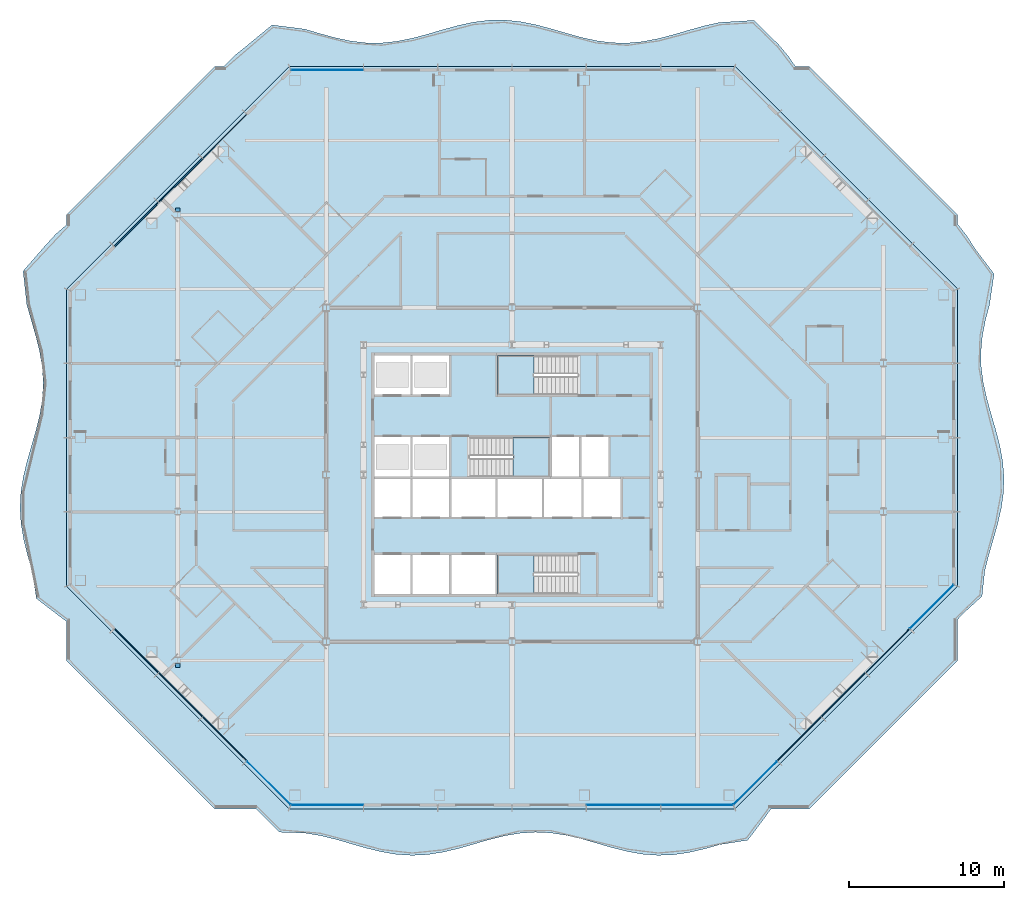
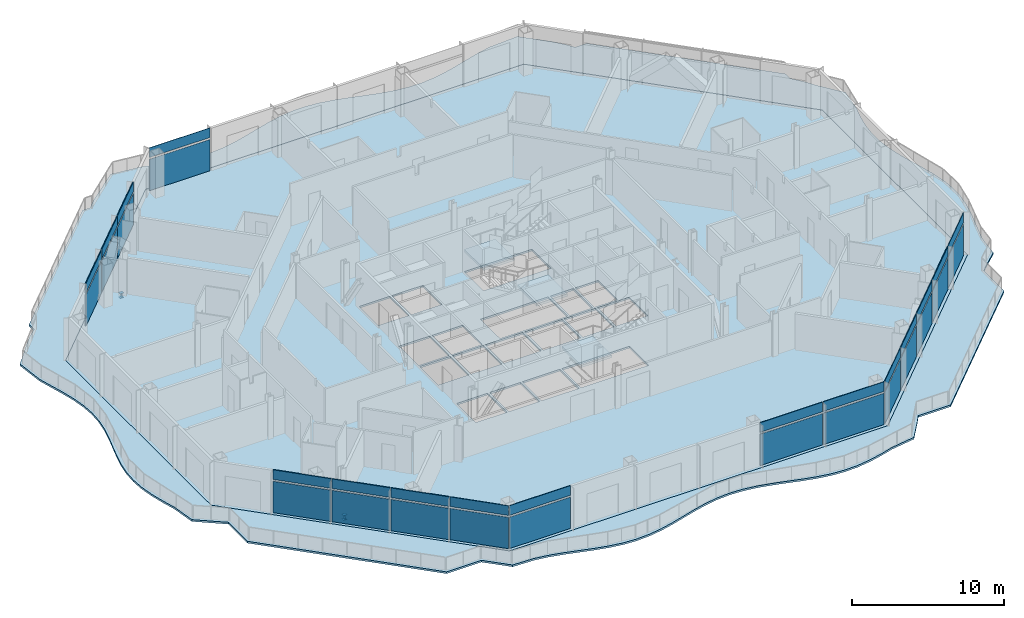
# One storey, part 7 of 24: 32 plates, 5 slabs, 2 beams, 8 elements without a shape of their own.
"""IFC4 building model written with IfcOpenShell, lengths in metres."""

from ifc_helpers import new_model, si_unit, direction, frame, origin, origin_2d, place, context, subcontext, project, spatial, polyline, rectangle, i_section, outline, extrude, material, layer, layer_set, material_profile, profile_set, type_object, element, aggregate, save


model = new_model("IFC4")

# Units and contexts
model_context = context("Model", 3, precision=1e-05, world=origin(), true_north=direction((0.0, 1.0)))
body_context = subcontext(model_context, "Body", "Model", "MODEL_VIEW")
ifc_project = project(units=[si_unit("LENGTHUNIT", "METRE"), si_unit("AREAUNIT", "SQUARE_METRE"), si_unit("VOLUMEUNIT", "CUBIC_METRE"), si_unit("PLANEANGLEUNIT", "RADIAN"), si_unit("MASSUNIT", "GRAM", prefix="KILO")], contexts=[model_context])

# Site, building, storey
site_placement = place(None, origin())
site = spatial("IfcSite", under=ifc_project, at=site_placement, CompositionType="ELEMENT")
building_placement = place(site_placement, origin())
building = spatial("IfcBuilding", under=site, at=building_placement, Name="Cairn Pilgrim Tower", CompositionType="ELEMENT")
storey_placement = place(building_placement, frame((0.0, 0.0, 125.39990234375)))
storey = spatial("IfcBuildingStorey", under=building, at=storey_placement, Name="L30", CompositionType="ELEMENT", Elevation=125.39990234375)

# Beams
ifc_material_1 = material(Name="Structural steel S355J2", Category="steel")
ifc_material_profile = material_profile(ifc_material_1, i_section(OverallWidth=0.300048828125, OverallDepth=0.39990234375, WebThickness=0.013427734375, FlangeThickness=0.02392578125, FilletRadius=0.027099609375, at=origin_2d()), Name="HEB 400")
ifc_profile_set = profile_set([ifc_material_profile], Name="Structural steel S355J2")
beam_type = type_object("IfcBeamType", Name="HEB 400 GIRDER", PredefinedType="BEAM", material=ifc_profile_set)
beam_1_placement = place(storey_placement, frame((-14.39990234375, -10.050048828125, -0.349853515625), z_axis=(0.0, 1.0, 0.0), x_axis=(-1.0, 0.0, 0.0)))
element("IfcBeam", 1, at=beam_1_placement, inside=storey, type_object=beam_type, Name="PG1-E1", PredefinedType="BEAM", context=body_context, shape_type="SweptSolid", body=[
    extrude(i_section(OverallWidth=0.300048828125, OverallDepth=0.39990234375, WebThickness=0.013427734375, FlangeThickness=0.02392578125, FilletRadius=0.027099609375, at=origin_2d()), origin(), (0.0, 0.0, 1.0), 0.25048828125),
])
beam_2_placement = place(storey_placement, frame((-14.39990234375, 19.3994140625, -0.349853515625), z_axis=(0.0, 1.0, 0.0), x_axis=(-1.0, 0.0, 0.0)))
element("IfcBeam", 2, at=beam_2_placement, inside=storey, type_object=beam_type, Name="PG1-E2", PredefinedType="BEAM", context=body_context, shape_type="SweptSolid", body=[
    extrude(i_section(OverallWidth=0.300048828125, OverallDepth=0.39990234375, WebThickness=0.013427734375, FlangeThickness=0.02392578125, FilletRadius=0.027099609375, at=origin_2d()), origin(), (0.0, 0.0, 1.0), 0.250732421875),
])

# Slabs
ifc_material_2 = material(Name="Concrete C35/45", Category="concrete")
ifc_layer_1 = layer(ifc_material_2, 0.14990234375)
ifc_layer_set_1 = layer_set([ifc_layer_1], Name="BALCONY SLAB 150 CONCRETE C35/45")
slab_type_1 = type_object("IfcSlabType", Name="BALCONY SLAB 150 CONCRETE C35/45", PredefinedType="FLOOR", material=ifc_layer_set_1)
slab_1_placement = place(storey_placement, frame((0.0, 0.0, -0.14990234375)))
element("IfcSlab", 3, at=slab_1_placement, inside=storey, type_object=slab_type_1, Name="Balcony slab BS-1", PredefinedType="FLOOR", context=body_context, shape_type="SweptSolid", body=[
    extrude(outline(polyline([(22.43603515625, -21.21826171875), (23.563720703125, -19.7236328125), (23.9287109375, -19.199951171875), (26.39990234375, -19.199951171875), (36.0, -9.60009765625), (36.0, -6.95263671875), (36.341552734375, -6.58154296875), (37.5771484375, -5.453369140625), (37.75732421875, -3.78955078125), (38.01416015625, -2.779052734375), (38.307861328125, -1.768310546875), (38.59228515625, -0.7578125), (38.823486328125, 0.252685546875), (38.9658203125, 1.26318359375), (38.996826171875, 2.273681640625), (38.91162109375, 3.2841796875), (38.7236328125, 4.294677734375), (38.462158203125, 5.30517578125), (38.16748046875, 6.315673828125), (37.8857421875, 7.326416015625), (37.66064453125, 8.3369140625), (37.527099609375, 9.347412109375), (37.506103515625, 10.35791015625), (37.600341796875, 11.368408203125), (37.7958984375, 12.37890625), (38.061767578125, 13.389404296875), (38.35693359375, 15.376220703125), (37.14501953125, 16.985107421875), (36.580078125, 17.860107421875), (36.0, 18.6005859375), (36.0, 19.199951171875), (26.39990234375, 28.800048828125), (25.509033203125, 28.800048828125), (25.093017578125, 29.4130859375), (24.43798828125, 30.197998046875), (22.830078125, 31.76953125), (20.60693359375, 31.634765625), (19.61376953125, 31.412353515625), (18.62060546875, 31.135498046875), (17.627685546875, 30.845947265625), (16.634521484375, 30.5869140625), (15.641357421875, 30.3974609375), (14.648193359375, 30.305908203125), (13.6552734375, 30.326171875), (12.662109375, 30.455078125), (11.6689453125, 30.67333984375), (10.67578125, 30.9482421875), (9.682861328125, 31.23828125), (8.689697265625, 31.500244140625), (7.696533203125, 31.694580078125), (6.703369140625, 31.7919921875), (5.71044921875, 31.77783203125), (4.71728515625, 31.654541015625), (3.72412109375, 31.440673828125), (2.73095703125, 31.167724609375), (1.738037109375, 30.87744140625), (0.744873046875, 30.61279296875), (-0.248291015625, 30.4140625), (-1.241455078125, 30.310546875), (-2.234375, 30.318359375), (-3.2275390625, 30.435791015625), (-4.220703125, 30.645751953125), (-5.2138671875, 30.916259765625), (-6.206787109375, 31.206787109375), (-8.3076171875, 31.473876953125), (-9.957275390625, 30.117431640625), (-10.753662109375, 29.4736328125), (-11.415771484375, 28.800048828125), (-12.0, 28.800048828125), (-21.60009765625, 19.199951171875), (-21.60009765625, 18.547119140625), (-22.280517578125, 17.96044921875), (-22.97021484375, 17.210205078125), (-24.40185546875, 15.560546875), (-24.162841796875, 13.389404296875), (-23.875, 12.37890625), (-23.583251953125, 11.368408203125), (-23.333251953125, 10.35791015625), (-23.163330078125, 9.347412109375), (-23.10009765625, 8.3369140625), (-23.153564453125, 7.326416015625), (-23.315185546875, 6.315673828125), (-23.559814453125, 5.30517578125), (-23.849853515625, 4.294677734375), (-24.1396484375, 3.2841796875), (-24.384521484375, 2.273681640625), (-24.54638671875, 1.26318359375), (-24.599853515625, 0.252685546875), (-24.536865234375, -0.7578125), (-24.3671875, -1.768310546875), (-24.116943359375, -2.779052734375), (-23.825439453125, -3.78955078125), (-23.53759765625, -5.6025390625), (-22.079833984375, -6.7197265625), (-21.60009765625, -7.073974609375), (-21.60009765625, -9.60009765625), (-12.0, -19.199951171875), (-9.3427734375, -19.199951171875), (-8.988525390625, -19.548583984375), (-7.8212890625, -20.699951171875), (-6.206787109375, -20.75634765625), (-5.2138671875, -20.916748046875), (-4.220703125, -21.157470703125), (-3.2275390625, -21.44189453125), (-2.234375, -21.7275390625), (-1.241455078125, -21.9716796875), (-0.248291015625, -22.137451171875), (0.744873046875, -22.19970703125), (1.738037109375, -22.149658203125), (2.73095703125, -21.994384765625), (3.72412109375, -21.757568359375), (4.71728515625, -21.474365234375), (5.71044921875, -21.1875), (6.703369140625, -20.940185546875), (7.696533203125, -20.769287109375), (8.689697265625, -20.70068359375), (9.682861328125, -20.74462890625), (10.67578125, -20.89453125), (11.6689453125, -21.127685546875), (12.662109375, -21.409423828125), (13.6552734375, -21.697265625), (14.648193359375, -21.94775390625), (15.641357421875, -22.123779296875), (16.634521484375, -22.198486328125), (17.627685546875, -22.16064453125), (18.62060546875, -22.016357421875), (19.61376953125, -21.786865234375), (20.60693359375, -21.5068359375), (22.43603515625, -21.21826171875)]), holes=[polyline([(21.60009765625, -19.199951171875), (-7.199951171875, -19.199951171875), (-21.60009765625, -4.800048828125), (-21.60009765625, 14.39990234375), (-7.199951171875, 28.800048828125), (21.60009765625, 28.800048828125), (36.0, 14.39990234375), (36.0, -4.800048828125), (21.60009765625, -19.199951171875)])]), origin(), (0.0, 0.0, 1.0), 0.14990234375),
])
ifc_layer_2 = layer(ifc_material_2, 0.14990234375)
ifc_layer_set_2 = layer_set([ifc_layer_2], Name="COMPOSITE FLOOR SLAB 150")
slab_type_2 = type_object("IfcSlabType", Name="COMPOSITE FLOOR SLAB 150", PredefinedType="FLOOR", material=ifc_layer_set_2)
slab_2_placement = place(storey_placement, frame((0.0, 0.0, -0.14990234375)))
element("IfcSlab", 4, at=slab_2_placement, inside=storey, type_object=slab_type_2, Name="FLOOR SLAB L30", PredefinedType="FLOOR", context=body_context, shape_type="SweptSolid", body=[
    extrude(outline(polyline([(-7.199951171875, -19.199951171875), (21.60009765625, -19.199951171875), (36.0, -4.800048828125), (36.0, 14.39990234375), (21.60009765625, 28.800048828125), (-7.199951171875, 28.800048828125), (-21.60009765625, 14.39990234375), (-21.60009765625, -4.800048828125), (-7.199951171875, -19.199951171875)]), holes=[polyline([(-1.72509765625, -5.300048828125), (0.625, -5.300048828125), (0.625, -2.77490234375), (-1.72509765625, -2.77490234375), (-1.72509765625, -5.300048828125)]), polyline([(0.77490234375, -5.300048828125), (3.125, -5.300048828125), (3.125, -2.77490234375), (0.77490234375, -2.77490234375), (0.77490234375, -5.300048828125)]), polyline([(-1.72509765625, -0.324951171875), (0.625, -0.324951171875), (0.625, 2.125), (-1.72509765625, 2.125), (-1.72509765625, -0.324951171875)]), polyline([(0.77490234375, -0.324951171875), (3.125, -0.324951171875), (3.125, 2.125), (0.77490234375, 2.125), (0.77490234375, -0.324951171875)]), polyline([(3.27490234375, -5.300048828125), (6.125, -5.300048828125), (6.125, -2.77490234375), (3.27490234375, -2.77490234375), (3.27490234375, -5.300048828125)]), polyline([(3.27490234375, -0.324951171875), (6.125, -0.324951171875), (6.125, 2.125), (3.27490234375, 2.125), (3.27490234375, -0.324951171875)]), polyline([(6.27490234375, -0.324951171875), (9.125, -0.324951171875), (9.125, 2.125), (6.27490234375, 2.125), (6.27490234375, -0.324951171875)]), polyline([(9.27490234375, -0.324951171875), (11.675048828125, -0.324951171875), (11.675048828125, 2.125), (9.27490234375, 2.125), (9.27490234375, -0.324951171875)]), polyline([(11.824951171875, -0.324951171875), (14.22509765625, -0.324951171875), (14.22509765625, 2.125), (11.824951171875, 2.125), (11.824951171875, -0.324951171875)]), polyline([(-1.72509765625, 2.27490234375), (0.625, 2.27490234375), (0.625, 4.824951171875), (-1.72509765625, 4.824951171875), (-1.72509765625, 2.27490234375)]), polyline([(0.77490234375, 2.27490234375), (3.125, 2.27490234375), (3.125, 4.824951171875), (0.77490234375, 4.824951171875), (0.77490234375, 2.27490234375)]), polyline([(-1.72509765625, 7.574951171875), (0.625, 7.574951171875), (0.625, 10.10009765625), (-1.72509765625, 10.10009765625), (-1.72509765625, 7.574951171875)]), polyline([(0.77490234375, 7.574951171875), (3.125, 7.574951171875), (3.125, 10.10009765625), (0.77490234375, 10.10009765625), (0.77490234375, 7.574951171875)]), polyline([(9.77490234375, 2.27490234375), (11.52490234375, 2.27490234375), (11.52490234375, 4.824951171875), (9.77490234375, 4.824951171875), (9.77490234375, 2.27490234375)]), polyline([(11.675048828125, 2.27490234375), (13.425048828125, 2.27490234375), (13.425048828125, 4.824951171875), (11.675048828125, 4.824951171875), (11.675048828125, 2.27490234375)]), polyline([(11.424560546875, -2.77490234375), (6.27490234375, -2.77490234375), (6.27490234375, -5.300048828125), (11.424560546875, -5.300048828125), (11.424560546875, -2.77490234375)]), polyline([(4.4755859375, 2.27490234375), (9.625, 2.27490234375), (9.625, 4.824951171875), (4.4755859375, 4.824951171875), (4.4755859375, 2.27490234375)]), polyline([(11.424560546875, 10.10009765625), (6.27490234375, 10.10009765625), (6.27490234375, 7.574951171875), (11.424560546875, 7.574951171875), (11.424560546875, 10.10009765625)])]), origin(), (0.0, 0.0, 1.0), 0.14990234375),
])

# Curtain wall, plates
ifc_material_3 = material(Name="Aluminium alloy 6063-T6 bronze anodised with Bronze tinted laminated low-E glass 8+16+8.8", Category="aluminium")
curtain_wall_type = type_object("IfcCurtainWallType", Name="FULL HEIGHT CURTAIN WALL", PredefinedType="NOTDEFINED", material=ifc_material_3)
curtain_wall_1_placement = place(storey_placement, origin())
curtain_wall_1 = element("IfcCurtainWall", 5, at=curtain_wall_1_placement, inside=storey, type_object=curtain_wall_type, Name="Full Height Curtain Wall SE", PredefinedType="NOTDEFINED")
ifc_material_4 = material(Name="Bronze anodised aluminium spandrel panel with mineral wool insulation", Category="aluminium")
ifc_layer_3 = layer(ifc_material_4, 0.06005859375)
ifc_layer_set_3 = layer_set([ifc_layer_3], Name="SPANDREL PANEL 3972x2525")
plate_type_1 = type_object("IfcPlateType", Name="SPANDREL PANEL 3972x2525", PredefinedType="CURTAIN_PANEL", material=ifc_layer_set_3)
plate_1_placement = place(storey_placement, frame((25.7724609375, -14.673828125, 0.000244140625), z_axis=(0.0, 0.0, 1.0), x_axis=(0.707106781187, 0.707106781187, 0.0)))
plate_1 = element("IfcPlate", 6, at=plate_1_placement, type_object=plate_type_1, Name="Spandrel Panel SE2-1", PredefinedType="CURTAIN_PANEL", context=body_context, shape_type="SweptSolid", body=[
    extrude(rectangle(XDim=3.971435546875, YDim=0.06005859375, at=origin_2d()), origin(), (0.0, 0.0, 1.0), 2.52490234375),
])
plate_2_placement = place(storey_placement, frame((28.623291015625, -11.8232421875, 0.000244140625), z_axis=(0.0, 0.0, 1.0), x_axis=(0.707106781187, 0.707106781187, 0.0)))
plate_2 = element("IfcPlate", 7, at=plate_2_placement, type_object=plate_type_1, Name="Spandrel Panel SE3-1", PredefinedType="CURTAIN_PANEL", context=body_context, shape_type="SweptSolid", body=[
    extrude(rectangle(XDim=3.971435546875, YDim=0.06005859375, at=origin_2d()), origin(), (0.0, 0.0, 1.0), 2.52490234375),
])
plate_3_placement = place(storey_placement, frame((31.473876953125, -8.972412109375, 0.000244140625), z_axis=(0.0, 0.0, 1.0), x_axis=(0.707106781187, 0.707106781187, 0.0)))
plate_3 = element("IfcPlate", 8, at=plate_3_placement, type_object=plate_type_1, Name="Spandrel Panel SE4-1", PredefinedType="CURTAIN_PANEL", context=body_context, shape_type="SweptSolid", body=[
    extrude(rectangle(XDim=3.971435546875, YDim=0.06005859375, at=origin_2d()), origin(), (0.0, 0.0, 1.0), 2.52490234375),
])

curtain_wall_2_placement = place(storey_placement, origin())
curtain_wall_2 = element("IfcCurtainWall", 9, at=curtain_wall_2_placement, inside=storey, type_object=curtain_wall_type, Name="Full Height Curtain Wall NW", PredefinedType="NOTDEFINED")
plate_4_placement = place(storey_placement, frame((-11.37255859375, 24.27392578125, 0.000244140625), z_axis=(0.0, 0.0, 1.0), x_axis=(-0.707106781187, -0.707106781187, 0.0)))
plate_4 = element("IfcPlate", 10, at=plate_4_placement, type_object=plate_type_1, Name="Spandrel Panel NW2-1", PredefinedType="CURTAIN_PANEL", context=body_context, shape_type="SweptSolid", body=[
    extrude(rectangle(XDim=3.971435546875, YDim=0.06005859375, at=origin_2d()), origin(), (0.0, 0.0, 1.0), 2.52490234375),
])
plate_5_placement = place(storey_placement, frame((-14.22314453125, 21.42333984375, 0.000244140625), z_axis=(0.0, 0.0, 1.0), x_axis=(-0.707106781187, -0.707106781187, 0.0)))
plate_5 = element("IfcPlate", 11, at=plate_5_placement, type_object=plate_type_1, Name="Spandrel Panel NW3-1", PredefinedType="CURTAIN_PANEL", context=body_context, shape_type="SweptSolid", body=[
    extrude(rectangle(XDim=3.971435546875, YDim=0.06005859375, at=origin_2d()), origin(), (0.0, 0.0, 1.0), 2.52490234375),
])
plate_6_placement = place(storey_placement, frame((-17.073974609375, 18.572509765625, 0.000244140625), z_axis=(0.0, 0.0, 1.0), x_axis=(-0.707106781187, -0.707106781187, 0.0)))
plate_6 = element("IfcPlate", 12, at=plate_6_placement, type_object=plate_type_1, Name="Spandrel Panel NW4-1", PredefinedType="CURTAIN_PANEL", context=body_context, shape_type="SweptSolid", body=[
    extrude(rectangle(XDim=3.971435546875, YDim=0.06005859375, at=origin_2d()), origin(), (0.0, 0.0, 1.0), 2.52490234375),
])

curtain_wall_3_placement = place(storey_placement, origin())
curtain_wall_3 = element("IfcCurtainWall", 13, at=curtain_wall_3_placement, inside=storey, type_object=curtain_wall_type, Name="Full Height Curtain Wall SW", PredefinedType="NOTDEFINED")
plate_7_placement = place(storey_placement, frame((-17.073974609375, -8.972412109375, 0.000244140625), z_axis=(0.0, 0.0, 1.0), x_axis=(0.707106781187, -0.707106781187, 0.0)))
plate_7 = element("IfcPlate", 14, at=plate_7_placement, type_object=plate_type_1, Name="Spandrel Panel SW2-1", PredefinedType="CURTAIN_PANEL", context=body_context, shape_type="SweptSolid", body=[
    extrude(rectangle(XDim=3.971435546875, YDim=0.06005859375, at=origin_2d()), origin(), (0.0, 0.0, 1.0), 2.52490234375),
])
plate_8_placement = place(storey_placement, frame((-14.22314453125, -11.8232421875, 0.000244140625), z_axis=(0.0, 0.0, 1.0), x_axis=(0.707106781187, -0.707106781187, 0.0)))
plate_8 = element("IfcPlate", 15, at=plate_8_placement, type_object=plate_type_1, Name="Spandrel Panel SW3-1", PredefinedType="CURTAIN_PANEL", context=body_context, shape_type="SweptSolid", body=[
    extrude(rectangle(XDim=3.971435546875, YDim=0.06005859375, at=origin_2d()), origin(), (0.0, 0.0, 1.0), 2.52490234375),
])
plate_9_placement = place(storey_placement, frame((-11.37255859375, -14.673828125, 0.000244140625), z_axis=(0.0, 0.0, 1.0), x_axis=(0.707106781187, -0.707106781187, 0.0)))
plate_9 = element("IfcPlate", 16, at=plate_9_placement, type_object=plate_type_1, Name="Spandrel Panel SW4-1", PredefinedType="CURTAIN_PANEL", context=body_context, shape_type="SweptSolid", body=[
    extrude(rectangle(XDim=3.971435546875, YDim=0.06005859375, at=origin_2d()), origin(), (0.0, 0.0, 1.0), 2.52490234375),
])

# Plate
ifc_layer_4 = layer(ifc_material_4, 0.06005859375)
ifc_layer_set_4 = layer_set([ifc_layer_4], Name="SPANDREL PANEL 3972x775")
plate_type_2 = type_object("IfcPlateType", Name="SPANDREL PANEL 3972x775", PredefinedType="CURTAIN_PANEL", material=ifc_layer_set_4)
plate_10_placement = place(storey_placement, frame((25.7724609375, -14.673828125, 2.675048828125), z_axis=(0.0, 0.0, 1.0), x_axis=(0.707106781187, 0.707106781187, 0.0)))
plate_10 = element("IfcPlate", 17, at=plate_10_placement, type_object=plate_type_2, Name="Spandrel Panel SE2-2", PredefinedType="CURTAIN_PANEL", context=body_context, shape_type="SweptSolid", body=[
    extrude(rectangle(XDim=3.971435546875, YDim=0.06005859375, at=origin_2d()), origin(), (0.0, 0.0, 1.0), 0.77490234375),
])

plate_11_placement = place(storey_placement, frame((28.623291015625, -11.8232421875, 2.675048828125), z_axis=(0.0, 0.0, 1.0), x_axis=(0.707106781187, 0.707106781187, 0.0)))
plate_11 = element("IfcPlate", 18, at=plate_11_placement, type_object=plate_type_2, Name="Spandrel Panel SE3-2", PredefinedType="CURTAIN_PANEL", context=body_context, shape_type="SweptSolid", body=[
    extrude(rectangle(XDim=3.971435546875, YDim=0.06005859375, at=origin_2d()), origin(), (0.0, 0.0, 1.0), 0.77490234375),
])

plate_12_placement = place(storey_placement, frame((31.473876953125, -8.972412109375, 2.675048828125), z_axis=(0.0, 0.0, 1.0), x_axis=(0.707106781187, 0.707106781187, 0.0)))
plate_12 = element("IfcPlate", 19, at=plate_12_placement, type_object=plate_type_2, Name="Spandrel Panel SE4-2", PredefinedType="CURTAIN_PANEL", context=body_context, shape_type="SweptSolid", body=[
    extrude(rectangle(XDim=3.971435546875, YDim=0.06005859375, at=origin_2d()), origin(), (0.0, 0.0, 1.0), 0.77490234375),
])

plate_13_placement = place(storey_placement, frame((-11.37255859375, 24.27392578125, 2.675048828125), z_axis=(0.0, 0.0, 1.0), x_axis=(-0.707106781187, -0.707106781187, 0.0)))
plate_13 = element("IfcPlate", 20, at=plate_13_placement, type_object=plate_type_2, Name="Spandrel Panel NW2-2", PredefinedType="CURTAIN_PANEL", context=body_context, shape_type="SweptSolid", body=[
    extrude(rectangle(XDim=3.971435546875, YDim=0.06005859375, at=origin_2d()), origin(), (0.0, 0.0, 1.0), 0.77490234375),
])

plate_14_placement = place(storey_placement, frame((-14.22314453125, 21.42333984375, 2.675048828125), z_axis=(0.0, 0.0, 1.0), x_axis=(-0.707106781187, -0.707106781187, 0.0)))
plate_14 = element("IfcPlate", 21, at=plate_14_placement, type_object=plate_type_2, Name="Spandrel Panel NW3-2", PredefinedType="CURTAIN_PANEL", context=body_context, shape_type="SweptSolid", body=[
    extrude(rectangle(XDim=3.971435546875, YDim=0.06005859375, at=origin_2d()), origin(), (0.0, 0.0, 1.0), 0.77490234375),
])

plate_15_placement = place(storey_placement, frame((-17.073974609375, 18.572509765625, 2.675048828125), z_axis=(0.0, 0.0, 1.0), x_axis=(-0.707106781187, -0.707106781187, 0.0)))
plate_15 = element("IfcPlate", 22, at=plate_15_placement, type_object=plate_type_2, Name="Spandrel Panel NW4-2", PredefinedType="CURTAIN_PANEL", context=body_context, shape_type="SweptSolid", body=[
    extrude(rectangle(XDim=3.971435546875, YDim=0.06005859375, at=origin_2d()), origin(), (0.0, 0.0, 1.0), 0.77490234375),
])

aggregate(curtain_wall_2, [plate_4, plate_13, plate_5, plate_14, plate_6, plate_15])

plate_16_placement = place(storey_placement, frame((-17.073974609375, -8.972412109375, 2.675048828125), z_axis=(0.0, 0.0, 1.0), x_axis=(0.707106781187, -0.707106781187, 0.0)))
plate_16 = element("IfcPlate", 23, at=plate_16_placement, type_object=plate_type_2, Name="Spandrel Panel SW2-2", PredefinedType="CURTAIN_PANEL", context=body_context, shape_type="SweptSolid", body=[
    extrude(rectangle(XDim=3.971435546875, YDim=0.06005859375, at=origin_2d()), origin(), (0.0, 0.0, 1.0), 0.77490234375),
])

plate_17_placement = place(storey_placement, frame((-14.22314453125, -11.8232421875, 2.675048828125), z_axis=(0.0, 0.0, 1.0), x_axis=(0.707106781187, -0.707106781187, 0.0)))
plate_17 = element("IfcPlate", 24, at=plate_17_placement, type_object=plate_type_2, Name="Spandrel Panel SW3-2", PredefinedType="CURTAIN_PANEL", context=body_context, shape_type="SweptSolid", body=[
    extrude(rectangle(XDim=3.971435546875, YDim=0.06005859375, at=origin_2d()), origin(), (0.0, 0.0, 1.0), 0.77490234375),
])

plate_18_placement = place(storey_placement, frame((-11.37255859375, -14.673828125, 2.675048828125), z_axis=(0.0, 0.0, 1.0), x_axis=(0.707106781187, -0.707106781187, 0.0)))
plate_18 = element("IfcPlate", 25, at=plate_18_placement, type_object=plate_type_2, Name="Spandrel Panel SW4-2", PredefinedType="CURTAIN_PANEL", context=body_context, shape_type="SweptSolid", body=[
    extrude(rectangle(XDim=3.971435546875, YDim=0.06005859375, at=origin_2d()), origin(), (0.0, 0.0, 1.0), 0.77490234375),
])

# Stair, slab
ifc_material_5 = material(Name="Concrete C32/40", Category="concrete")
stair_type = type_object("IfcStairType", Name="EXIT STAIR 1200", PredefinedType="HALF_TURN_STAIR", material=ifc_material_5)
stair_1_placement = place(storey_placement, origin())
stair_1 = element("IfcStair", 26, at=stair_1_placement, inside=storey, type_object=stair_type, Name="L30 Exit Stair A", PredefinedType="HALF_TURN_STAIR")
ifc_layer_5 = layer(ifc_material_5, 0.199951171875)
ifc_layer_set_5 = layer_set([ifc_layer_5], Name="STAIR LANDING 200")
slab_type_3 = type_object("IfcSlabType", Name="STAIR LANDING 200", PredefinedType="LANDING", material=ifc_layer_set_5)
slab_3_placement = place(storey_placement, frame((0.0, 0.0, 1.60009765625)))
slab_3 = element("IfcSlab", 27, at=slab_3_placement, type_object=slab_type_3, Name="ST-A landing 1", PredefinedType="LANDING", context=body_context, shape_type="SweptSolid", body=[
    extrude(outline(polyline([(8.625, -2.77490234375), (6.27490234375, -2.77490234375), (6.27490234375, -5.300048828125), (8.625, -5.300048828125), (8.625, -2.77490234375)])), origin(), (0.0, 0.0, 1.0), 0.199951171875),
])
aggregate(stair_1, [slab_3])

stair_2_placement = place(storey_placement, origin())
stair_2 = element("IfcStair", 28, at=stair_2_placement, inside=storey, type_object=stair_type, Name="L30 Exit Stair B", PredefinedType="HALF_TURN_STAIR")
slab_4_placement = place(storey_placement, frame((0.0, 0.0, 1.60009765625)))
slab_4 = element("IfcSlab", 29, at=slab_4_placement, type_object=slab_type_3, Name="ST-B landing 1", PredefinedType="LANDING", context=body_context, shape_type="SweptSolid", body=[
    extrude(outline(polyline([(7.27490234375, 2.27490234375), (9.625, 2.27490234375), (9.625, 4.824951171875), (7.27490234375, 4.824951171875), (7.27490234375, 2.27490234375)])), origin(), (0.0, 0.0, 1.0), 0.199951171875),
])
aggregate(stair_2, [slab_4])

stair_3_placement = place(storey_placement, origin())
stair_3 = element("IfcStair", 30, at=stair_3_placement, inside=storey, type_object=stair_type, Name="L30 Exit Stair C", PredefinedType="HALF_TURN_STAIR")
slab_5_placement = place(storey_placement, frame((0.0, 0.0, 1.60009765625)))
slab_5 = element("IfcSlab", 31, at=slab_5_placement, type_object=slab_type_3, Name="ST-C landing 1", PredefinedType="LANDING", context=body_context, shape_type="SweptSolid", body=[
    extrude(outline(polyline([(8.625, 10.10009765625), (6.27490234375, 10.10009765625), (6.27490234375, 7.574951171875), (8.625, 7.574951171875), (8.625, 10.10009765625)])), origin(), (0.0, 0.0, 1.0), 0.199951171875),
])
aggregate(stair_3, [slab_5])

# Plate
ifc_material_6 = material(Name="Bronze tinted laminated low-E glass 8+16+8.8", Category="glass")
ifc_layer_6 = layer(ifc_material_6, 0.033935546875)
ifc_layer_set_6 = layer_set([ifc_layer_6], Name="VISION GLAZING 3962x2525")
plate_type_3 = type_object("IfcPlateType", Name="VISION GLAZING 3962x2525", PredefinedType="CURTAIN_PANEL", material=ifc_layer_set_6)
plate_19_placement = place(storey_placement, frame((22.92529296875, -17.52099609375, 0.000244140625), z_axis=(0.0, 0.0, 1.0), x_axis=(0.707106781187, 0.707106781187, 0.0)))
plate_19 = element("IfcPlate", 32, at=plate_19_placement, type_object=plate_type_3, Name="Vision Glazing SE1-1", PredefinedType="CURTAIN_PANEL", context=body_context, shape_type="SweptSolid", body=[
    extrude(rectangle(XDim=3.96142578125, YDim=0.033935546875, at=origin_2d()), origin(), (0.0, 0.0, 1.0), 2.52490234375),
])

plate_20_placement = place(storey_placement, frame((34.321044921875, -6.125244140625, 0.000244140625), z_axis=(0.0, 0.0, 1.0), x_axis=(0.707106781187, 0.707106781187, 0.0)))
plate_20 = element("IfcPlate", 33, at=plate_20_placement, type_object=plate_type_3, Name="Vision Glazing SE5-1", PredefinedType="CURTAIN_PANEL", context=body_context, shape_type="SweptSolid", body=[
    extrude(rectangle(XDim=3.96142578125, YDim=0.033935546875, at=origin_2d()), origin(), (0.0, 0.0, 1.0), 2.52490234375),
])

plate_21_placement = place(storey_placement, frame((-8.525390625, -17.52099609375, 0.000244140625), z_axis=(0.0, 0.0, 1.0), x_axis=(0.707106781187, -0.707106781187, 0.0)))
plate_21 = element("IfcPlate", 34, at=plate_21_placement, type_object=plate_type_3, Name="Vision Glazing SW5-1", PredefinedType="CURTAIN_PANEL", context=body_context, shape_type="SweptSolid", body=[
    extrude(rectangle(XDim=3.96142578125, YDim=0.033935546875, at=origin_2d()), origin(), (0.0, 0.0, 1.0), 2.52490234375),
])

ifc_layer_7 = layer(ifc_material_6, 0.033935546875)
ifc_layer_set_7 = layer_set([ifc_layer_7], Name="VISION GLAZING 3962x775")
plate_type_4 = type_object("IfcPlateType", Name="VISION GLAZING 3962x775", PredefinedType="CURTAIN_PANEL", material=ifc_layer_set_7)
plate_22_placement = place(storey_placement, frame((22.92529296875, -17.52099609375, 2.675048828125), z_axis=(0.0, 0.0, 1.0), x_axis=(0.707106781187, 0.707106781187, 0.0)))
plate_22 = element("IfcPlate", 35, at=plate_22_placement, type_object=plate_type_4, Name="Vision Glazing SE1-2", PredefinedType="CURTAIN_PANEL", context=body_context, shape_type="SweptSolid", body=[
    extrude(rectangle(XDim=3.96142578125, YDim=0.033935546875, at=origin_2d()), origin(), (0.0, 0.0, 1.0), 0.77490234375),
])

plate_23_placement = place(storey_placement, frame((34.321044921875, -6.125244140625, 2.675048828125), z_axis=(0.0, 0.0, 1.0), x_axis=(0.707106781187, 0.707106781187, 0.0)))
plate_23 = element("IfcPlate", 36, at=plate_23_placement, type_object=plate_type_4, Name="Vision Glazing SE5-2", PredefinedType="CURTAIN_PANEL", context=body_context, shape_type="SweptSolid", body=[
    extrude(rectangle(XDim=3.96142578125, YDim=0.033935546875, at=origin_2d()), origin(), (0.0, 0.0, 1.0), 0.77490234375),
])

aggregate(curtain_wall_1, [plate_19, plate_22, plate_1, plate_10, plate_2, plate_11, plate_3, plate_12, plate_20, plate_23])

plate_24_placement = place(storey_placement, frame((-8.525390625, -17.52099609375, 2.675048828125), z_axis=(0.0, 0.0, 1.0), x_axis=(0.707106781187, -0.707106781187, 0.0)))
plate_24 = element("IfcPlate", 37, at=plate_24_placement, type_object=plate_type_4, Name="Vision Glazing SW5-2", PredefinedType="CURTAIN_PANEL", context=body_context, shape_type="SweptSolid", body=[
    extrude(rectangle(XDim=3.96142578125, YDim=0.033935546875, at=origin_2d()), origin(), (0.0, 0.0, 1.0), 0.77490234375),
])

aggregate(curtain_wall_3, [plate_7, plate_16, plate_8, plate_17, plate_9, plate_18, plate_21, plate_24])

# Curtain wall, plates
curtain_wall_4_placement = place(storey_placement, origin())
curtain_wall_4 = element("IfcCurtainWall", 38, at=curtain_wall_4_placement, inside=storey, type_object=curtain_wall_type, Name="Full Height Curtain Wall S", PredefinedType="NOTDEFINED")
ifc_layer_8 = layer(ifc_material_6, 0.033935546875)
ifc_layer_set_8 = layer_set([ifc_layer_8], Name="VISION GLAZING 4626x2525")
plate_type_5 = type_object("IfcPlateType", Name="VISION GLAZING 4626x2525", PredefinedType="CURTAIN_PANEL", material=ifc_layer_set_8)
plate_25_placement = place(storey_placement, frame((-4.7431640625, -18.949951171875, 0.000244140625), z_axis=(0.0, 0.0, 1.0), x_axis=(1.0, 0.0, 0.0)))
plate_25 = element("IfcPlate", 39, at=plate_25_placement, type_object=plate_type_5, Name="Vision Glazing S1-1", PredefinedType="CURTAIN_PANEL", context=body_context, shape_type="SweptSolid", body=[
    extrude(rectangle(XDim=4.62646484375, YDim=0.033935546875, at=origin_2d()), origin(), (0.0, 0.0, 1.0), 2.52490234375),
])
plate_26_placement = place(storey_placement, frame((19.143310546875, -18.949951171875, 0.000244140625), z_axis=(0.0, 0.0, 1.0), x_axis=(1.0, 0.0, 0.0)))
plate_26 = element("IfcPlate", 40, at=plate_26_placement, type_object=plate_type_5, Name="Vision Glazing S6-1", PredefinedType="CURTAIN_PANEL", context=body_context, shape_type="SweptSolid", body=[
    extrude(rectangle(XDim=4.62646484375, YDim=0.033935546875, at=origin_2d()), origin(), (0.0, 0.0, 1.0), 2.52490234375),
])

# Curtain wall, plate
curtain_wall_5_placement = place(storey_placement, origin())
curtain_wall_5 = element("IfcCurtainWall", 41, at=curtain_wall_5_placement, inside=storey, type_object=curtain_wall_type, Name="Full Height Curtain Wall N", PredefinedType="NOTDEFINED")
plate_27_placement = place(storey_placement, frame((-4.7431640625, 28.550048828125, 0.000244140625), z_axis=(0.0, 0.0, 1.0), x_axis=(-1.0, 0.0, 0.0)))
plate_27 = element("IfcPlate", 42, at=plate_27_placement, type_object=plate_type_5, Name="Vision Glazing N6-1", PredefinedType="CURTAIN_PANEL", context=body_context, shape_type="SweptSolid", body=[
    extrude(rectangle(XDim=4.62646484375, YDim=0.033935546875, at=origin_2d()), origin(), (0.0, 0.0, 1.0), 2.52490234375),
])

# Plate
ifc_layer_9 = layer(ifc_material_6, 0.033935546875)
ifc_layer_set_9 = layer_set([ifc_layer_9], Name="VISION GLAZING 4626x775")
plate_type_6 = type_object("IfcPlateType", Name="VISION GLAZING 4626x775", PredefinedType="CURTAIN_PANEL", material=ifc_layer_set_9)
plate_28_placement = place(storey_placement, frame((-4.7431640625, -18.949951171875, 2.675048828125), z_axis=(0.0, 0.0, 1.0), x_axis=(1.0, 0.0, 0.0)))
plate_28 = element("IfcPlate", 43, at=plate_28_placement, type_object=plate_type_6, Name="Vision Glazing S1-2", PredefinedType="CURTAIN_PANEL", context=body_context, shape_type="SweptSolid", body=[
    extrude(rectangle(XDim=4.62646484375, YDim=0.033935546875, at=origin_2d()), origin(), (0.0, 0.0, 1.0), 0.77490234375),
])

plate_29_placement = place(storey_placement, frame((19.143310546875, -18.949951171875, 2.675048828125), z_axis=(0.0, 0.0, 1.0), x_axis=(1.0, 0.0, 0.0)))
plate_29 = element("IfcPlate", 44, at=plate_29_placement, type_object=plate_type_6, Name="Vision Glazing S6-2", PredefinedType="CURTAIN_PANEL", context=body_context, shape_type="SweptSolid", body=[
    extrude(rectangle(XDim=4.62646484375, YDim=0.033935546875, at=origin_2d()), origin(), (0.0, 0.0, 1.0), 0.77490234375),
])

plate_30_placement = place(storey_placement, frame((-4.7431640625, 28.550048828125, 2.675048828125), z_axis=(0.0, 0.0, 1.0), x_axis=(-1.0, 0.0, 0.0)))
plate_30 = element("IfcPlate", 45, at=plate_30_placement, type_object=plate_type_6, Name="Vision Glazing N6-2", PredefinedType="CURTAIN_PANEL", context=body_context, shape_type="SweptSolid", body=[
    extrude(rectangle(XDim=4.62646484375, YDim=0.033935546875, at=origin_2d()), origin(), (0.0, 0.0, 1.0), 0.77490234375),
])

aggregate(curtain_wall_5, [plate_27, plate_30])

ifc_layer_10 = layer(ifc_material_6, 0.033935546875)
ifc_layer_set_10 = layer_set([ifc_layer_10], Name="VISION GLAZING 4740x2525")
plate_type_7 = type_object("IfcPlateType", Name="VISION GLAZING 4740x2525", PredefinedType="CURTAIN_PANEL", material=ifc_layer_set_10)
plate_31_placement = place(storey_placement, frame((14.39990234375, -18.949951171875, 0.000244140625), z_axis=(0.0, 0.0, 1.0), x_axis=(1.0, 0.0, 0.0)))
plate_31 = element("IfcPlate", 46, at=plate_31_placement, type_object=plate_type_7, Name="Vision Glazing S5-1", PredefinedType="CURTAIN_PANEL", context=body_context, shape_type="SweptSolid", body=[
    extrude(rectangle(XDim=4.739990234375, YDim=0.033935546875, at=origin_2d()), origin(), (0.0, 0.0, 1.0), 2.52490234375),
])

ifc_layer_11 = layer(ifc_material_6, 0.033935546875)
ifc_layer_set_11 = layer_set([ifc_layer_11], Name="VISION GLAZING 4740x775")
plate_type_8 = type_object("IfcPlateType", Name="VISION GLAZING 4740x775", PredefinedType="CURTAIN_PANEL", material=ifc_layer_set_11)
plate_32_placement = place(storey_placement, frame((14.39990234375, -18.949951171875, 2.675048828125), z_axis=(0.0, 0.0, 1.0), x_axis=(1.0, 0.0, 0.0)))
plate_32 = element("IfcPlate", 47, at=plate_32_placement, type_object=plate_type_8, Name="Vision Glazing S5-2", PredefinedType="CURTAIN_PANEL", context=body_context, shape_type="SweptSolid", body=[
    extrude(rectangle(XDim=4.739990234375, YDim=0.033935546875, at=origin_2d()), origin(), (0.0, 0.0, 1.0), 0.77490234375),
])

aggregate(curtain_wall_4, [plate_25, plate_28, plate_31, plate_32, plate_26, plate_29])

save(model, "model.ifc")
